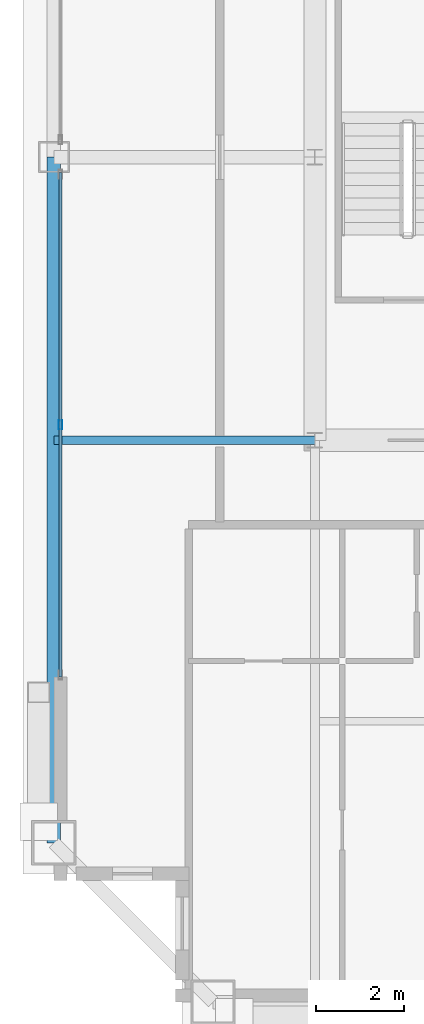
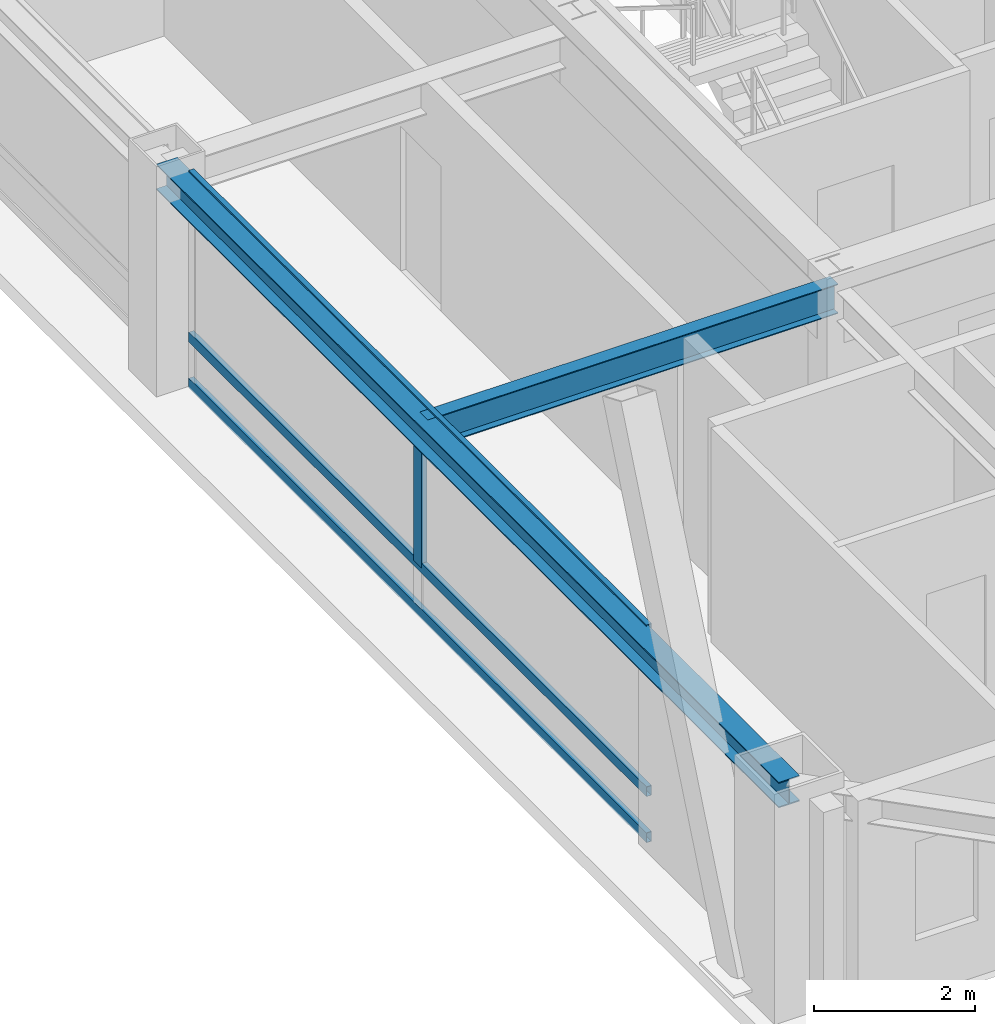
# One storey, part 7 of 35: 4 members, 2 beams, 1 element without a shape of its own.
"""IFC4 building model written with IfcOpenShell, lengths in metres."""

from ifc_helpers import new_model, si_unit, direction, frame, origin, origin_2d, place, context, subcontext, project, spatial, hollow_rectangle, i_section, extrude, source, transform, mapped, material, layer, layer_set, material_profile, profile_set, type_object, element, aggregate, save


model = new_model("IFC4")

# Units and contexts
model_context = context("Model", 3, precision=1e-05, world=origin(), true_north=direction((0.0, 1.0)))
body_context = subcontext(model_context, "Body", "Model", "MODEL_VIEW")
ifc_project = project(units=[si_unit("LENGTHUNIT", "METRE"), si_unit("AREAUNIT", "SQUARE_METRE"), si_unit("VOLUMEUNIT", "CUBIC_METRE"), si_unit("PLANEANGLEUNIT", "RADIAN"), si_unit("MASSUNIT", "GRAM", prefix="KILO"), si_unit("THERMODYNAMICTEMPERATUREUNIT", "KELVIN"), si_unit("POWERUNIT", "WATT")], contexts=[model_context])

# Site, building, storey
site_placement = place(None, origin())
site = spatial("IfcSite", under=ifc_project, at=site_placement, CompositionType="ELEMENT")
building_placement = place(site_placement, origin())
building = spatial("IfcBuilding", under=site, at=building_placement, Name="Yuzanri Waterfront Tower", CompositionType="ELEMENT")
storey_placement = place(building_placement, frame((0.0, 0.0, 335.699951171875)))
storey = spatial("IfcBuildingStorey", under=building, at=storey_placement, Name="L90", CompositionType="ELEMENT", Elevation=335.699951171875)

# Beams
ifc_material_1 = material(Name="Steel Q355B", Category="steel")
ifc_material_profile_1 = material_profile(ifc_material_1, i_section(OverallWidth=0.300048828125, OverallDepth=0.389892578125, WebThickness=0.010009765625, FlangeThickness=0.01611328125, at=origin_2d()), Name="HM 390x300x10x16")
ifc_profile_set_1 = profile_set([ifc_material_profile_1], Name="Steel Q355B")
beam_type_1 = type_object("IfcBeamType", Name="Perimeter Spandrel Q355B HM 390x300", PredefinedType="SPANDREL", material=ifc_profile_set_1)
shared_shape_1 = source(origin(), body_context, "Body", "SweptSolid", [
    extrude(i_section(OverallWidth=0.300048828125, OverallDepth=0.389892578125, WebThickness=0.010009765625, FlangeThickness=0.01611328125, at=origin_2d()), origin(), (0.0, 0.0, 1.0), 15.5),
])
beam_1_placement = place(storey_placement, frame((17.89990234375, 25.800048828125, 3.06494140625), z_axis=(0.0, -1.0, 0.0), x_axis=(1.0, 0.0, 0.0)))
element("IfcBeam", 1, at=beam_1_placement, inside=storey, type_object=beam_type_1, Name="L90 Perimeter Spandrel W2-W1", PredefinedType="SPANDREL", context=body_context, shape_type="MappedRepresentation", body=[
    mapped(shared_shape_1, transform((0.0, 0.0, 0.0), scale=1.0)),
])
ifc_material_2 = material(Name="Steel Q355B", Category="steel")
ifc_material_profile_2 = material_profile(ifc_material_2, i_section(OverallWidth=0.199951171875, OverallDepth=0.449951171875, WebThickness=0.009033203125, FlangeThickness=0.013916015625, at=origin_2d()), Name="HN 450x200x9x14")
ifc_profile_set_2 = profile_set([ifc_material_profile_2], Name="Steel Q355B")
beam_type_2 = type_object("IfcBeamType", Name="Secondary Floor Beam Q355B HN 450x200", PredefinedType="BEAM", material=ifc_profile_set_2)
shared_shape_2 = source(origin(), body_context, "Body", "SweptSolid", [
    extrude(i_section(OverallWidth=0.199951171875, OverallDepth=0.449951171875, WebThickness=0.009033203125, FlangeThickness=0.013916015625, at=origin_2d()), origin(), (0.0, 0.0, 1.0), 5.900146484375),
])
beam_2_placement = place(storey_placement, frame((23.800048828125, 19.39990234375, 3.03515625), z_axis=(-1.0, 0.0, 0.0), x_axis=(0.0, -1.0, 0.0)))
element("IfcBeam", 2, at=beam_2_placement, inside=storey, type_object=beam_type_2, Name="L90 West-South Core Line Beam", PredefinedType="BEAM", context=body_context, shape_type="MappedRepresentation", body=[
    mapped(shared_shape_2, transform((0.0, 0.0, 0.0), scale=1.0)),
])

# Curtain wall, members
ifc_material_3 = material(Name="Anodized Architectural Bronze", Category="metal")
ifc_layer = layer(ifc_material_3, 0.159912109375)
ifc_layer_set = layer_set([ifc_layer], Name="Anodized Architectural Bronze")
curtain_wall_type = type_object("IfcCurtainWallType", Name="Anodized Bronze High-Rise Penthouse High-Wind Unitized Curtain Wall 6900", PredefinedType="NOTDEFINED", material=ifc_layer_set)
curtain_wall_placement = place(storey_placement, origin())
curtain_wall = element("IfcCurtainWall", 3, at=curtain_wall_placement, inside=storey, type_object=curtain_wall_type, Name="L90 Curtain Wall CW-L90-WL", PredefinedType="NOTDEFINED")
ifc_material_4 = material(Name="Anodized Architectural Bronze", Category="metal")
ifc_material_profile_3 = material_profile(ifc_material_4, hollow_rectangle(XDim=0.074951171875, YDim=0.14990234375, WallThickness=0.00390625, at=origin_2d()), Name="CWT 75x150")
ifc_profile_set_3 = profile_set([ifc_material_profile_3], Name="Anodized Architectural Bronze")
member_type_1 = type_object("IfcMemberType", Name="Anodized Bronze Primary Curtain-Wall Transom 75x150", PredefinedType="USERDEFINED", material=ifc_profile_set_3)
shared_shape_3 = source(origin(), body_context, "Body", "SweptSolid", [
    extrude(hollow_rectangle(XDim=0.074951171875, YDim=0.14990234375, WallThickness=0.00390625, at=origin_2d()), origin(), (0.0, 0.0, 1.0), 11.39990234375),
])
member_1_placement = place(storey_placement, frame((18.050048828125, 14.050048828125, 0.050048828125), z_axis=(0.0, 1.0, 0.0), x_axis=(-1.0, 0.0, 0.0)))
member_1 = element("IfcMember", 4, at=member_1_placement, type_object=member_type_1, Name="CW-L90-WL Transom 1", ObjectType="TRANSOM", PredefinedType="USERDEFINED", context=body_context, shape_type="MappedRepresentation", body=[
    mapped(shared_shape_3, transform((0.0, 0.0, 0.0), scale=1.0)),
])
member_2_placement = place(storey_placement, frame((18.050048828125, 14.050048828125, 0.75), z_axis=(0.0, 1.0, 0.0), x_axis=(-1.0, 0.0, 0.0)))
member_2 = element("IfcMember", 5, at=member_2_placement, type_object=member_type_1, Name="CW-L90-WL Transom 2", ObjectType="TRANSOM", PredefinedType="USERDEFINED", context=body_context, shape_type="MappedRepresentation", body=[
    mapped(shared_shape_3, transform((0.0, 0.0, 0.0), scale=1.0)),
])
member_3_placement = place(storey_placement, frame((18.050048828125, 14.050048828125, 3.2099609375), z_axis=(0.0, 1.0, 0.0), x_axis=(-1.0, 0.0, 0.0)))
member_3 = element("IfcMember", 6, at=member_3_placement, type_object=member_type_1, Name="CW-L90-WL Transom 3", ObjectType="TRANSOM", PredefinedType="USERDEFINED", context=body_context, shape_type="MappedRepresentation", body=[
    mapped(shared_shape_3, transform((0.0, 0.0, 0.0), scale=1.0)),
])
ifc_material_5 = material(Name="Anodized Architectural Bronze", Category="metal")
ifc_material_profile_4 = material_profile(ifc_material_5, hollow_rectangle(XDim=0.074951171875, YDim=0.199951171875, WallThickness=0.00390625, at=origin_2d()), Name="CWM 75x200")
ifc_profile_set_4 = profile_set([ifc_material_profile_4], Name="Anodized Architectural Bronze")
member_type_2 = type_object("IfcMemberType", Name="Anodized Bronze Primary Curtain-Wall Mullion 75x200", PredefinedType="MULLION", material=ifc_profile_set_4)
shared_shape_4 = source(origin(), body_context, "Body", "SweptSolid", [
    extrude(hollow_rectangle(XDim=0.074951171875, YDim=0.199951171875, WallThickness=0.00390625, at=origin_2d()), origin(), (0.0, 0.0, 1.0), 2.508056640625),
])
member_4_placement = place(storey_placement, frame((18.050048828125, 19.75, 0.751953125), z_axis=(0.0, 0.0, 1.0), x_axis=(1.0, 0.0, 0.0)))
member_4 = element("IfcMember", 7, at=member_4_placement, type_object=member_type_2, Name="CW-L90-WL Upper Mullion 01", PredefinedType="MULLION", context=body_context, shape_type="MappedRepresentation", body=[
    mapped(shared_shape_4, transform((0.0, 0.0, 0.0), scale=1.0)),
])
aggregate(curtain_wall, [member_4, member_1, member_2, member_3])

save(model, "model.ifc")
